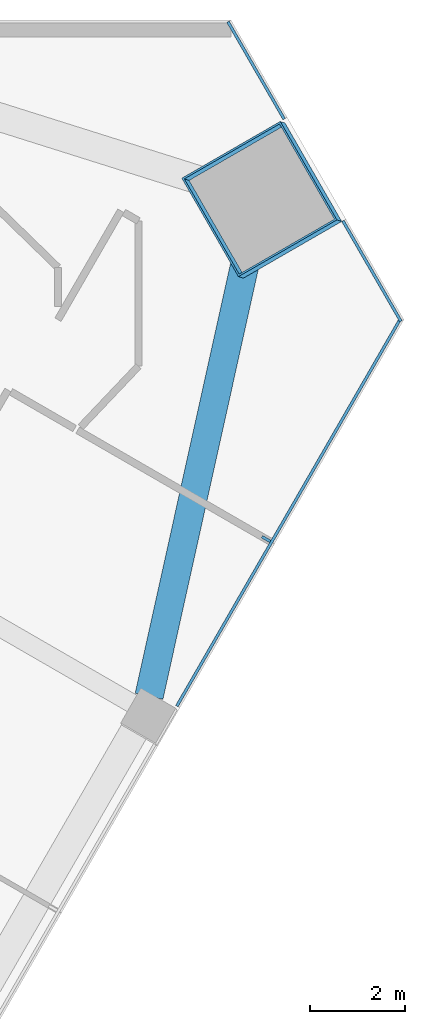
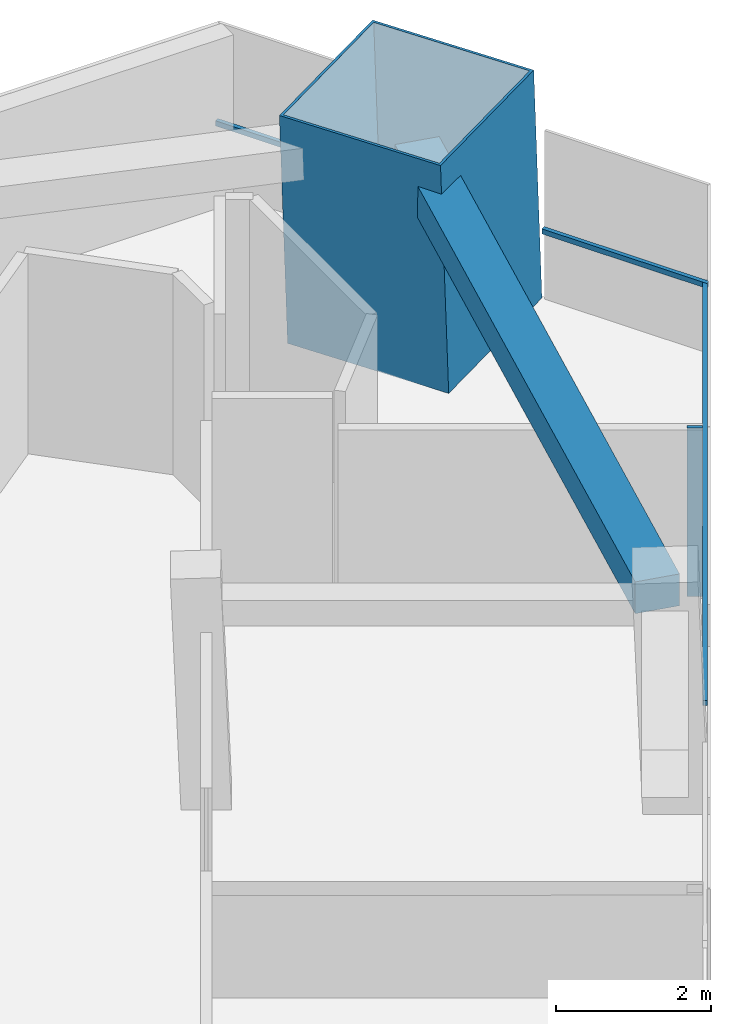
# One storey, part 7 of 13: 5 members, 1 beam, 2 elements without a shape of their own.
"""IFC4 building model written with IfcOpenShell, lengths in metres."""

from ifc_helpers import new_model, si_unit, direction, frame, origin, origin_2d, place, context, subcontext, project, spatial, rectangle, hollow_rectangle, extrude, material, layer, layer_set, material_profile, profile_set, type_object, element, aggregate, save


model = new_model("IFC4")

# Units and contexts
model_context = context("Model", 3, precision=1e-05, world=origin(), true_north=direction((0.0, 1.0)))
body_context = subcontext(model_context, "Body", "Model", "MODEL_VIEW")
ifc_project = project(units=[si_unit("LENGTHUNIT", "METRE"), si_unit("AREAUNIT", "SQUARE_METRE"), si_unit("VOLUMEUNIT", "CUBIC_METRE"), si_unit("PLANEANGLEUNIT", "RADIAN"), si_unit("MASSUNIT", "GRAM", prefix="KILO")], contexts=[model_context])

# Site, building, storey
site_placement = place(None, origin())
site = spatial("IfcSite", under=ifc_project, at=site_placement, CompositionType="ELEMENT")
building_placement = place(site_placement, origin())
building = spatial("IfcBuilding", under=site, at=building_placement, Name="Altiplano Prism Tower", CompositionType="ELEMENT")
storey_placement = place(building_placement, frame((0.0, 0.0, 153.0)))
storey = spatial("IfcBuildingStorey", under=building, at=storey_placement, Name="L39", CompositionType="ELEMENT", Elevation=153.0)

# Curtain wall, members
ifc_material_1 = material(Name="Aluminium and glass", Category="aluminium")
ifc_layer = layer(ifc_material_1, 0.303955078125)
ifc_layer_set = layer_set([ifc_layer], Name="Aluminium and glass")
curtain_wall_type = type_object("IfcCurtainWallType", Name="CW2 lounge-band unitised glazing", PredefinedType="NOTDEFINED", material=ifc_layer_set)
curtain_wall_1_placement = place(storey_placement, origin())
curtain_wall_1 = element("IfcCurtainWall", 1, at=curtain_wall_1_placement, inside=storey, type_object=curtain_wall_type, Name="CW2 curtain wall south-east face L39", PredefinedType="NOTDEFINED")
ifc_material_2 = material(Name="Aluminium", Category="aluminium")
ifc_material_profile_1 = material_profile(ifc_material_2, rectangle(XDim=0.199951171875, YDim=0.06005859375, at=origin_2d()), Name="CW2 mullion 60 x 200")
ifc_profile_set_1 = profile_set([ifc_material_profile_1], Name="Aluminium")
member_type_1 = type_object("IfcMemberType", Name="CW2 mullion 60 x 200", PredefinedType="MULLION", material=ifc_profile_set_1)
member_1_placement = place(storey_placement, frame((109.210205078125, 94.03955078125, 0.0), z_axis=(0.0, 0.0, 1.0), x_axis=(-0.866025404064, 0.499999999516, 0.0)))
member_1 = element("IfcMember", 2, at=member_1_placement, type_object=member_type_1, Name="CW2 mullion", PredefinedType="MULLION", context=body_context, shape_type="SweptSolid", body=[
    extrude(rectangle(XDim=0.199951171875, YDim=0.06005859375, at=origin_2d()), origin(), (0.0, 0.0, 1.0), 2.64990234375),
])
ifc_material_profile_2 = material_profile(ifc_material_2, rectangle(XDim=0.06005859375, YDim=0.080078125, at=origin_2d()), Name="CW2 transom 80 x 60")
ifc_profile_set_2 = profile_set([ifc_material_profile_2], Name="Aluminium")
member_type_2 = type_object("IfcMemberType", Name="CW2 transom 80 x 60", PredefinedType="USERDEFINED", material=ifc_profile_set_2)
member_2_placement = place(storey_placement, frame((107.324951171875, 90.514404296875, 1.10009765625), z_axis=(0.500009793847, 0.866019749231, 0.0), x_axis=(-0.866019749231, 0.500009793847, 0.0)))
member_2 = element("IfcMember", 3, at=member_2_placement, type_object=member_type_2, Name="CW2 transom", ObjectType="TRANSOM", PredefinedType="USERDEFINED", context=body_context, shape_type="SweptSolid", body=[
    extrude(rectangle(XDim=0.06005859375, YDim=0.080078125, at=origin_2d()), origin(), (0.0, 0.0, 1.0), 9.463134765625),
])
aggregate(curtain_wall_1, [member_1, member_2])

curtain_wall_2_placement = place(storey_placement, origin())
curtain_wall_2 = element("IfcCurtainWall", 4, at=curtain_wall_2_placement, inside=storey, type_object=curtain_wall_type, Name="CW2 curtain wall north-east chamfer L39", PredefinedType="NOTDEFINED")
member_3_placement = place(storey_placement, frame((112.056640625, 98.6357421875, 1.10009765625), z_axis=(-0.49999238347, 0.866029801145, 0.0), x_axis=(-0.866029801145, -0.49999238347, 0.0)))
member_3 = element("IfcMember", 5, at=member_3_placement, type_object=member_type_2, Name="CW2 transom", ObjectType="TRANSOM", PredefinedType="USERDEFINED", context=body_context, shape_type="SweptSolid", body=[
    extrude(rectangle(XDim=0.06005859375, YDim=0.080078125, at=origin_2d()), origin(), (0.0, 0.0, 1.0), 2.453125),
])
member_4_placement = place(storey_placement, frame((109.590087890625, 102.907958984375, 1.10009765625), z_axis=(-0.500034167395, 0.866005676331, 0.0), x_axis=(-0.866005676331, -0.500034167395, 0.0)))
member_4 = element("IfcMember", 6, at=member_4_placement, type_object=member_type_2, Name="CW2 transom", ObjectType="TRANSOM", PredefinedType="USERDEFINED", context=body_context, shape_type="SweptSolid", body=[
    extrude(rectangle(XDim=0.06005859375, YDim=0.080078125, at=origin_2d()), origin(), (0.0, 0.0, 1.0), 2.372802734375),
])
aggregate(curtain_wall_2, [member_3, member_4])

# Beam
ifc_material_3 = material(Name="Concrete C60/75", Category="concrete")
ifc_material_profile_3 = material_profile(ifc_material_3, rectangle(XDim=0.60009765625, YDim=0.5, at=origin_2d()), Name="Edge beam 600x500")
ifc_profile_set_3 = profile_set([ifc_material_profile_3], Name="Concrete C60/75")
beam_type = type_object("IfcBeamType", Name="Edge beam 600x500", PredefinedType="SPANDREL", material=ifc_profile_set_3)
beam_placement = place(storey_placement, frame((106.73779296875, 90.721923828125, 2.89990234375), z_axis=(0.216539029212, 0.976273961974, 0.0), x_axis=(-0.976273961974, 0.216539029212, 0.0)))
element("IfcBeam", 7, at=beam_placement, inside=storey, type_object=beam_type, Name="Edge beam P24-M2 L40", PredefinedType="SPANDREL", context=body_context, shape_type="SweptSolid", body=[
    extrude(rectangle(XDim=0.60009765625, YDim=0.5, at=origin_2d()), origin(), (0.0, 0.0, 1.0), 10.302734375),
])

# Member
ifc_material_4 = material(Name="Steel S460", Category="steel")
ifc_material_profile_4 = material_profile(ifc_material_4, hollow_rectangle(XDim=2.39990234375, YDim=2.39990234375, WallThickness=0.0400390625, at=origin_2d()), Name="Mega column tube 2400")
ifc_profile_set_4 = profile_set([ifc_material_profile_4], Name="Steel S460")
member_type_3 = type_object("IfcMemberType", Name="Mega column tube 2400", PredefinedType="POST", material=ifc_profile_set_4)
member_5_placement = place(storey_placement, frame((109.16845703125, 101.186279296875, 0.0), z_axis=(-0.028401796786, 0.009286506348, 0.999553449666), x_axis=(0.49889150885, -0.866379427708, 0.022224977879)))
element("IfcMember", 8, at=member_5_placement, inside=storey, type_object=member_type_3, Name="Mega column tube M2 L39", PredefinedType="POST", context=body_context, shape_type="SweptSolid", body=[
    extrude(hollow_rectangle(XDim=2.39990234375, YDim=2.39990234375, WallThickness=0.0400390625, at=origin_2d()), origin(), (0.0, 0.0, 1.0), 3.601806640625),
])

save(model, "model.ifc")
